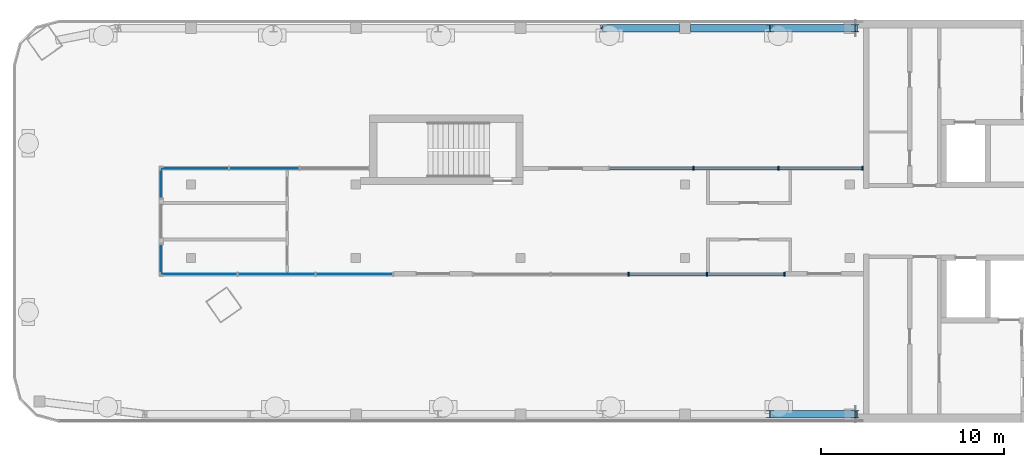
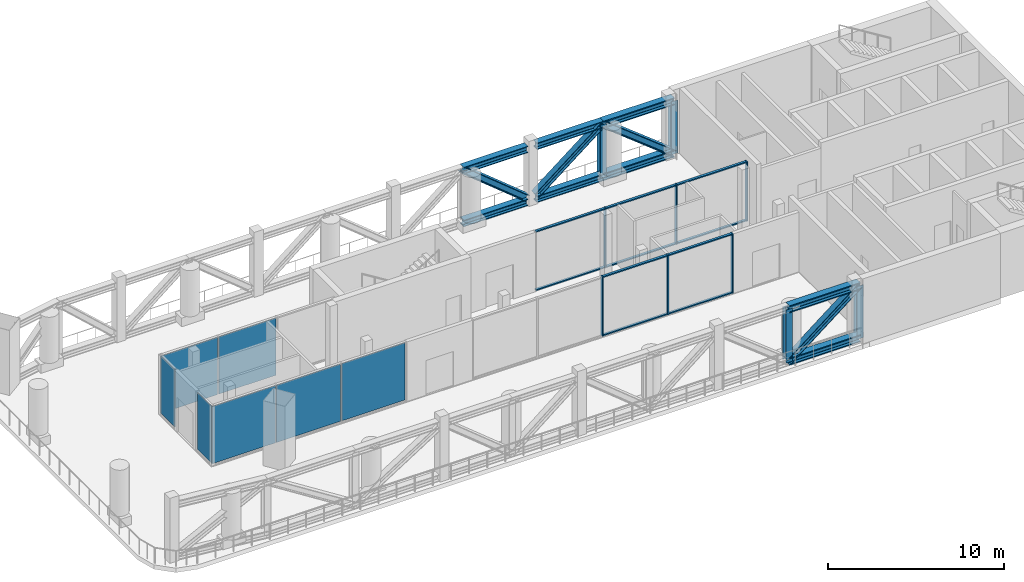
# One storey, part 3 of 9: 32 members, 7 plates, 6 elements without a shape of their own.
"""IFC4 building model written with IfcOpenShell, lengths in metres."""

from ifc_helpers import new_model, si_unit, direction, frame, origin, origin_2d, place, context, subcontext, project, spatial, rectangle, i_section, extrude, material, layer, layer_set, material_profile, profile_set, type_object, element, aggregate, save


model = new_model("IFC4")

# Units and contexts
model_context = context("Model", 3, precision=1e-05, world=origin(), true_north=direction((0.0, 1.0)))
body_context = subcontext(model_context, "Body", "Model", "MODEL_VIEW")
ifc_project = project(units=[si_unit("LENGTHUNIT", "METRE"), si_unit("AREAUNIT", "SQUARE_METRE"), si_unit("VOLUMEUNIT", "CUBIC_METRE"), si_unit("PLANEANGLEUNIT", "RADIAN"), si_unit("MASSUNIT", "GRAM", prefix="KILO")], contexts=[model_context])

# Site, building, storey
site_placement = place(None, origin())
site = spatial("IfcSite", under=ifc_project, at=site_placement, CompositionType="ELEMENT")
building_placement = place(site_placement, origin())
building = spatial("IfcBuilding", under=site, at=building_placement, Name="Skarvind Civic Tower", CompositionType="ELEMENT")
storey_placement = place(building_placement, frame((0.0, 0.0, 277.5)))
storey = spatial("IfcBuildingStorey", under=building, at=storey_placement, Name="L66", CompositionType="ELEMENT", Elevation=277.5)

# Curtain wall, members
ifc_material_1 = material(Name="Aluminium alloy 6063 and laminated glass", Category="aluminium")
curtain_wall_type = type_object("IfcCurtainWallType", Name="CW5 CROWN GALLERY LANTERN", PredefinedType="NOTDEFINED", material=ifc_material_1)
curtain_wall_1_placement = place(storey_placement, origin())
curtain_wall_1 = element("IfcCurtainWall", 1, at=curtain_wall_1_placement, inside=storey, type_object=curtain_wall_type, Name="CROWN GALLERY LANTERN", PredefinedType="NOTDEFINED")
ifc_material_2 = material(Name="Aluminium alloy 6063", Category="aluminium")
ifc_material_profile_1 = material_profile(ifc_material_2, rectangle(XDim=0.219970703125, YDim=0.080078125, at=origin_2d()), Name="AL 80x220")
ifc_profile_set_1 = profile_set([ifc_material_profile_1], Name="Aluminium alloy 6063")
member_type_1 = type_object("IfcMemberType", Name="CW5 MULLION 80x220", PredefinedType="MULLION", material=ifc_profile_set_1)
member_1_placement = place(storey_placement, frame((86.68212890625, 125.110107421875, 0.0), z_axis=(0.0, 0.0, 1.0), x_axis=(0.0, -1.0, 0.0)))
member_1 = element("IfcMember", 2, at=member_1_placement, type_object=member_type_1, Name="CW5 mullion 1", PredefinedType="MULLION", context=body_context, shape_type="SweptSolid", body=[
    extrude(rectangle(XDim=0.219970703125, YDim=0.080078125, at=origin_2d()), origin(), (0.0, 0.0, 1.0), 4.125),
])
member_2_placement = place(storey_placement, frame((82.4443359375, 125.110107421875, 0.0), z_axis=(0.0, 0.0, 1.0), x_axis=(0.0, -1.0, 0.0)))
member_2 = element("IfcMember", 3, at=member_2_placement, type_object=member_type_1, Name="CW5 mullion 2", PredefinedType="MULLION", context=body_context, shape_type="SweptSolid", body=[
    extrude(rectangle(XDim=0.219970703125, YDim=0.080078125, at=origin_2d()), origin(), (0.0, 0.0, 1.0), 4.125),
])
member_3_placement = place(storey_placement, frame((78.166748046875, 125.110107421875, 0.0), z_axis=(0.0, 0.0, 1.0), x_axis=(0.0, -1.0, 0.0)))
member_3 = element("IfcMember", 4, at=member_3_placement, type_object=member_type_1, Name="CW5 mullion 3", PredefinedType="MULLION", context=body_context, shape_type="SweptSolid", body=[
    extrude(rectangle(XDim=0.219970703125, YDim=0.080078125, at=origin_2d()), origin(), (0.0, 0.0, 1.0), 4.125),
])

curtain_wall_2_placement = place(storey_placement, origin())
curtain_wall_2 = element("IfcCurtainWall", 5, at=curtain_wall_2_placement, inside=storey, type_object=curtain_wall_type, Name="CROWN GALLERY LANTERN", PredefinedType="NOTDEFINED")
member_4_placement = place(storey_placement, frame((81.699951171875, 130.889892578125, 0.0), z_axis=(0.0, 0.0, 1.0), x_axis=(0.0, 1.0, 0.0)))
member_4 = element("IfcMember", 6, at=member_4_placement, type_object=member_type_1, Name="CW5 mullion 2", PredefinedType="MULLION", context=body_context, shape_type="SweptSolid", body=[
    extrude(rectangle(XDim=0.219970703125, YDim=0.080078125, at=origin_2d()), origin(), (0.0, 0.0, 1.0), 4.125),
])
member_5_placement = place(storey_placement, frame((86.35009765625, 130.889892578125, 0.0), z_axis=(0.0, 0.0, 1.0), x_axis=(0.0, 1.0, 0.0)))
member_5 = element("IfcMember", 7, at=member_5_placement, type_object=member_type_1, Name="CW5 mullion 3", PredefinedType="MULLION", context=body_context, shape_type="SweptSolid", body=[
    extrude(rectangle(XDim=0.219970703125, YDim=0.080078125, at=origin_2d()), origin(), (0.0, 0.0, 1.0), 4.125),
])
member_6_placement = place(storey_placement, frame((90.9599609375, 130.889892578125, 0.0), z_axis=(0.0, 0.0, 1.0), x_axis=(0.0, 1.0, 0.0)))
member_6 = element("IfcMember", 8, at=member_6_placement, type_object=member_type_1, Name="CW5 mullion 4", PredefinedType="MULLION", context=body_context, shape_type="SweptSolid", body=[
    extrude(rectangle(XDim=0.219970703125, YDim=0.080078125, at=origin_2d()), origin(), (0.0, 0.0, 1.0), 4.125),
])

# Member
ifc_material_profile_2 = material_profile(ifc_material_2, rectangle(XDim=0.159912109375, YDim=0.080078125, at=origin_2d()), Name="AL 80x160")
ifc_profile_set_2 = profile_set([ifc_material_profile_2], Name="Aluminium alloy 6063")
member_type_2 = type_object("IfcMemberType", Name="CW5 TRANSOM 80x160", PredefinedType="USERDEFINED", material=ifc_profile_set_2)
member_7_placement = place(storey_placement, frame((86.64208984375, 125.110107421875, 0.0400390625), z_axis=(-1.0, 0.0, 0.0), x_axis=(0.0, -1.0, 0.0)))
member_7 = element("IfcMember", 9, at=member_7_placement, type_object=member_type_2, Name="CW5 transom 1.1", ObjectType="TRANSOM", PredefinedType="USERDEFINED", context=body_context, shape_type="SweptSolid", body=[
    extrude(rectangle(XDim=0.159912109375, YDim=0.080078125, at=origin_2d()), origin(), (0.0, 0.0, 1.0), 4.15771484375),
])

member_8_placement = place(storey_placement, frame((86.64208984375, 125.110107421875, 4.0849609375), z_axis=(-1.0, 0.0, 0.0), x_axis=(0.0, -1.0, 0.0)))
member_8 = element("IfcMember", 10, at=member_8_placement, type_object=member_type_2, Name="CW5 transom 1.2", ObjectType="TRANSOM", PredefinedType="USERDEFINED", context=body_context, shape_type="SweptSolid", body=[
    extrude(rectangle(XDim=0.159912109375, YDim=0.080078125, at=origin_2d()), origin(), (0.0, 0.0, 1.0), 4.15771484375),
])

member_9_placement = place(storey_placement, frame((82.404541015625, 125.110107421875, 0.0400390625), z_axis=(-1.0, 0.0, 0.0), x_axis=(0.0, -1.0, 0.0)))
member_9 = element("IfcMember", 11, at=member_9_placement, type_object=member_type_2, Name="CW5 transom 2.1", ObjectType="TRANSOM", PredefinedType="USERDEFINED", context=body_context, shape_type="SweptSolid", body=[
    extrude(rectangle(XDim=0.159912109375, YDim=0.080078125, at=origin_2d()), origin(), (0.0, 0.0, 1.0), 4.197998046875),
])

member_10_placement = place(storey_placement, frame((82.404541015625, 125.110107421875, 4.0849609375), z_axis=(-1.0, 0.0, 0.0), x_axis=(0.0, -1.0, 0.0)))
member_10 = element("IfcMember", 12, at=member_10_placement, type_object=member_type_2, Name="CW5 transom 2.2", ObjectType="TRANSOM", PredefinedType="USERDEFINED", context=body_context, shape_type="SweptSolid", body=[
    extrude(rectangle(XDim=0.159912109375, YDim=0.080078125, at=origin_2d()), origin(), (0.0, 0.0, 1.0), 4.197998046875),
])

aggregate(curtain_wall_1, [member_1, member_2, member_3, member_7, member_8, member_9, member_10])

member_11_placement = place(storey_placement, frame((77.1298828125, 130.889892578125, 0.0400390625), z_axis=(1.0, 0.0, 0.0), x_axis=(0.0, 1.0, 0.0)))
member_11 = element("IfcMember", 13, at=member_11_placement, type_object=member_type_2, Name="CW5 transom 1.1", ObjectType="TRANSOM", PredefinedType="USERDEFINED", context=body_context, shape_type="SweptSolid", body=[
    extrude(rectangle(XDim=0.159912109375, YDim=0.080078125, at=origin_2d()), origin(), (0.0, 0.0, 1.0), 4.530029296875),
])

member_12_placement = place(storey_placement, frame((77.1298828125, 130.889892578125, 4.0849609375), z_axis=(1.0, 0.0, 0.0), x_axis=(0.0, 1.0, 0.0)))
member_12 = element("IfcMember", 14, at=member_12_placement, type_object=member_type_2, Name="CW5 transom 1.2", ObjectType="TRANSOM", PredefinedType="USERDEFINED", context=body_context, shape_type="SweptSolid", body=[
    extrude(rectangle(XDim=0.159912109375, YDim=0.080078125, at=origin_2d()), origin(), (0.0, 0.0, 1.0), 4.530029296875),
])

member_13_placement = place(storey_placement, frame((81.739990234375, 130.889892578125, 0.0400390625), z_axis=(1.0, 0.0, 0.0), x_axis=(0.0, 1.0, 0.0)))
member_13 = element("IfcMember", 15, at=member_13_placement, type_object=member_type_2, Name="CW5 transom 2.1", ObjectType="TRANSOM", PredefinedType="USERDEFINED", context=body_context, shape_type="SweptSolid", body=[
    extrude(rectangle(XDim=0.159912109375, YDim=0.080078125, at=origin_2d()), origin(), (0.0, 0.0, 1.0), 4.570068359375),
])

member_14_placement = place(storey_placement, frame((81.739990234375, 130.889892578125, 4.0849609375), z_axis=(1.0, 0.0, 0.0), x_axis=(0.0, 1.0, 0.0)))
member_14 = element("IfcMember", 16, at=member_14_placement, type_object=member_type_2, Name="CW5 transom 2.2", ObjectType="TRANSOM", PredefinedType="USERDEFINED", context=body_context, shape_type="SweptSolid", body=[
    extrude(rectangle(XDim=0.159912109375, YDim=0.080078125, at=origin_2d()), origin(), (0.0, 0.0, 1.0), 4.570068359375),
])

member_15_placement = place(storey_placement, frame((86.389892578125, 130.889892578125, 0.0400390625), z_axis=(1.0, 0.0, 0.0), x_axis=(0.0, 1.0, 0.0)))
member_15 = element("IfcMember", 17, at=member_15_placement, type_object=member_type_2, Name="CW5 transom 3.1", ObjectType="TRANSOM", PredefinedType="USERDEFINED", context=body_context, shape_type="SweptSolid", body=[
    extrude(rectangle(XDim=0.159912109375, YDim=0.080078125, at=origin_2d()), origin(), (0.0, 0.0, 1.0), 4.530029296875),
])

member_16_placement = place(storey_placement, frame((86.389892578125, 130.889892578125, 4.0849609375), z_axis=(1.0, 0.0, 0.0), x_axis=(0.0, 1.0, 0.0)))
member_16 = element("IfcMember", 18, at=member_16_placement, type_object=member_type_2, Name="CW5 transom 3.2", ObjectType="TRANSOM", PredefinedType="USERDEFINED", context=body_context, shape_type="SweptSolid", body=[
    extrude(rectangle(XDim=0.159912109375, YDim=0.080078125, at=origin_2d()), origin(), (0.0, 0.0, 1.0), 4.530029296875),
])

aggregate(curtain_wall_2, [member_4, member_5, member_6, member_11, member_12, member_13, member_14, member_15, member_16])

# Members
ifc_material_3 = material(Name="Steel SM355", Category="steel")
ifc_material_profile_3 = material_profile(ifc_material_3, i_section(OverallWidth=0.4169921875, OverallDepth=0.4580078125, WebThickness=0.030029296875, FlangeThickness=0.050048828125, FilletRadius=0.02197265625, at=origin_2d()), Name="H-458x417x30x50")
ifc_profile_set_3 = profile_set([ifc_material_profile_3], Name="Steel SM355")
member_type_3 = type_object("IfcMemberType", Name="Truss chord H-458x417x30x50 SM355", PredefinedType="CHORD", material=ifc_profile_set_3)
for number, where, z_axis, x_axis, name in (
    (19, (76.75, 138.550048828125, 0.22900390625), (1.0, 0.0, 0.0), (0.0, 1.0, 0.0), "Belt truss L66 W1N chord"),
    (20, (76.75, 138.550048828125, 3.89599609375), (1.0, 0.0, 0.0), (0.0, 1.0, 0.0), "Belt truss L66 W1N chord"),
):
    element("IfcMember", number, at=place(storey_placement, frame(where, z_axis=z_axis, x_axis=x_axis)), inside=storey, type_object=member_type_3, Name=name, PredefinedType="CHORD", context=body_context, shape_type="SweptSolid", body=[
        extrude(i_section(OverallWidth=0.4169921875, OverallDepth=0.4580078125, WebThickness=0.030029296875, FlangeThickness=0.050048828125, FilletRadius=0.02197265625, at=origin_2d()), origin(), (0.0, 0.0, 1.0), 4.199951171875),
    ])
for number, where, z_axis, x_axis, name in (
    (21, (81.550048828125, 138.550048828125, 0.22900390625), (1.0, 0.0, 0.0), (0.0, 1.0, 0.0), "Belt truss L66 W1N chord"),
    (22, (81.550048828125, 138.550048828125, 3.89599609375), (1.0, 0.0, 0.0), (0.0, 1.0, 0.0), "Belt truss L66 W1N chord"),
):
    element("IfcMember", number, at=place(storey_placement, frame(where, z_axis=z_axis, x_axis=x_axis)), inside=storey, type_object=member_type_3, Name=name, PredefinedType="CHORD", context=body_context, shape_type="SweptSolid", body=[
        extrude(i_section(OverallWidth=0.4169921875, OverallDepth=0.4580078125, WebThickness=0.030029296875, FlangeThickness=0.050048828125, FilletRadius=0.02197265625, at=origin_2d()), origin(), (0.0, 0.0, 1.0), 4.349853515625),
    ])
ifc_material_profile_4 = material_profile(ifc_material_3, i_section(OverallWidth=0.431884765625, OverallDepth=0.498046875, WebThickness=0.044921875, FlangeThickness=0.070068359375, FilletRadius=0.02197265625, at=origin_2d()), Name="H-498x432x45x70")
ifc_profile_set_4 = profile_set([ifc_material_profile_4], Name="Steel SM355")
member_type_4 = type_object("IfcMemberType", Name="Truss chord H-498x432x45x70 SM355", PredefinedType="CHORD", material=ifc_profile_set_4)
for number, where, z_axis, x_axis, name in (
    (23, (85.89990234375, 138.550048828125, 0.2490234375), (1.0, 0.0, 0.0), (0.0, 1.0, 0.0), "Belt truss L66 W1N chord"),
    (24, (85.89990234375, 138.550048828125, 3.8759765625), (1.0, 0.0, 0.0), (0.0, 1.0, 0.0), "Belt truss L66 W1N chord"),
    (25, (85.89990234375, 117.449951171875, 0.2490234375), (1.0, 0.0, 0.0), (0.0, 1.0, 0.0), "Belt truss L66 W1S chord"),
    (26, (85.89990234375, 117.449951171875, 3.8759765625), (1.0, 0.0, 0.0), (0.0, 1.0, 0.0), "Belt truss L66 W1S chord"),
):
    element("IfcMember", number, at=place(storey_placement, frame(where, z_axis=z_axis, x_axis=x_axis)), inside=storey, type_object=member_type_4, Name=name, PredefinedType="CHORD", context=body_context, shape_type="SweptSolid", body=[
        extrude(i_section(OverallWidth=0.431884765625, OverallDepth=0.498046875, WebThickness=0.044921875, FlangeThickness=0.070068359375, FilletRadius=0.02197265625, at=origin_2d()), origin(), (0.0, 0.0, 1.0), 4.650146484375),
    ])
ifc_material_profile_5 = material_profile(ifc_material_3, i_section(OverallWidth=0.406982421875, OverallDepth=0.427978515625, WebThickness=0.02001953125, FlangeThickness=0.034912109375, FilletRadius=0.02197265625, at=origin_2d()), Name="H-428x407x20x35")
ifc_profile_set_5 = profile_set([ifc_material_profile_5], Name="Steel SM355")
member_type_5 = type_object("IfcMemberType", Name="Truss diagonal H-428x407x20x35 SM355", PredefinedType="BRACE", material=ifc_profile_set_5)
member_17_placement = place(storey_placement, frame((76.75, 138.550048828125, 3.89599609375), z_axis=(0.775196572042, 0.0, -0.631720092046), x_axis=(0.0, 1.0, 0.0)))
element("IfcMember", 27, at=member_17_placement, inside=storey, type_object=member_type_5, Name="Belt truss L66 W1N diagonal", PredefinedType="BRACE", context=body_context, shape_type="SweptSolid", body=[
    extrude(i_section(OverallWidth=0.406982421875, OverallDepth=0.427978515625, WebThickness=0.02001953125, FlangeThickness=0.034912109375, FilletRadius=0.02197265625, at=origin_2d()), origin(), (0.0, 0.0, 1.0), 5.41796875),
])
member_18_placement = place(storey_placement, frame((81.550048828125, 138.550048828125, 0.465576171875), z_axis=(0.785205291791, 0.0, 0.619235536564), x_axis=(0.0, 1.0, 0.0)))
element("IfcMember", 28, at=member_18_placement, inside=storey, type_object=member_type_5, Name="Belt truss L66 W1N diagonal", PredefinedType="BRACE", context=body_context, shape_type="SweptSolid", body=[
    extrude(i_section(OverallWidth=0.406982421875, OverallDepth=0.427978515625, WebThickness=0.02001953125, FlangeThickness=0.034912109375, FilletRadius=0.02197265625, at=origin_2d()), origin(), (0.0, 0.0, 1.0), 5.539794921875),
])
for number, where, z_axis, x_axis, name in (
    (29, (85.89990234375, 138.550048828125, 3.89599609375), (0.785225606422, 0.0, -0.619209776262), (0.0, 1.0, 0.0), "Belt truss L66 W1N diagonal"),
    (30, (85.89990234375, 117.449951171875, 0.22900390625), (0.785225606422, 0.0, 0.619209776262), (0.0, 1.0, 0.0), "Belt truss L66 W1S diagonal"),
):
    element("IfcMember", number, at=place(storey_placement, frame(where, z_axis=z_axis, x_axis=x_axis)), inside=storey, type_object=member_type_5, Name=name, PredefinedType="BRACE", context=body_context, shape_type="SweptSolid", body=[
        extrude(i_section(OverallWidth=0.406982421875, OverallDepth=0.427978515625, WebThickness=0.02001953125, FlangeThickness=0.034912109375, FilletRadius=0.02197265625, at=origin_2d()), origin(), (0.0, 0.0, 1.0), 5.922119140625),
    ])
ifc_material_profile_6 = material_profile(ifc_material_3, i_section(OverallWidth=0.407958984375, OverallDepth=0.39990234375, WebThickness=0.02099609375, FlangeThickness=0.02099609375, FilletRadius=0.02197265625, at=origin_2d()), Name="H-400x408x21x21")
ifc_profile_set_6 = profile_set([ifc_material_profile_6], Name="Steel SM355")
member_type_6 = type_object("IfcMemberType", Name="Truss post H-400x408x21x21 SM355", PredefinedType="POST", material=ifc_profile_set_6)
for number, where, z_axis, x_axis, name in (
    (31, (85.89990234375, 138.550048828125, 0.22900390625), (0.0, 0.0, 1.0), (1.0, 0.0, 0.0), "Belt truss L66 W1N post"),
    (32, (90.550048828125, 138.550048828125, 0.22900390625), (0.0, 0.0, 1.0), (1.0, 0.0, 0.0), "Belt truss L66 W1N post"),
    (33, (85.89990234375, 117.449951171875, 0.22900390625), (0.0, 0.0, 1.0), (1.0, 0.0, 0.0), "Belt truss L66 W1S post"),
    (34, (90.550048828125, 117.449951171875, 0.22900390625), (0.0, 0.0, 1.0), (1.0, 0.0, 0.0), "Belt truss L66 W1S post"),
):
    element("IfcMember", number, at=place(storey_placement, frame(where, z_axis=z_axis, x_axis=x_axis)), inside=storey, type_object=member_type_6, Name=name, PredefinedType="POST", context=body_context, shape_type="SweptSolid", body=[
        extrude(i_section(OverallWidth=0.407958984375, OverallDepth=0.39990234375, WebThickness=0.02099609375, FlangeThickness=0.02099609375, FilletRadius=0.02197265625, at=origin_2d()), origin(), (0.0, 0.0, 1.0), 3.6669921875),
    ])

# Curtain wall, plates
curtain_wall_3_placement = place(storey_placement, origin())
curtain_wall_3 = element("IfcCurtainWall", 35, at=curtain_wall_3_placement, inside=storey, type_object=curtain_wall_type, Name="CROWN GALLERY LANTERN", PredefinedType="NOTDEFINED")
ifc_material_4 = material(Name="Laminated low-iron glass", Category="glass")
ifc_layer = layer(ifc_material_4, 0.035888671875)
ifc_layer_set = layer_set([ifc_layer], Name="CW5 GLASS PANEL 36")
plate_type = type_object("IfcPlateType", Name="CW5 GLASS PANEL 36", PredefinedType="CURTAIN_PANEL", material=ifc_layer_set)
plate_1_placement = place(storey_placement, frame((54.436767578125, 130.889892578125, 0.080078125), z_axis=(0.0, 0.0, 1.0), x_axis=(1.0, 0.0, 0.0)))
plate_1 = element("IfcPlate", 36, at=plate_1_placement, type_object=plate_type, Name="CW5 panel 1.1", PredefinedType="CURTAIN_PANEL", context=body_context, shape_type="SweptSolid", body=[
    extrude(rectangle(XDim=3.71337890625, YDim=0.035888671875, at=origin_2d()), origin(), (0.0, 0.0, 1.0), 3.965087890625),
])
plate_2_placement = place(storey_placement, frame((58.25, 130.889892578125, 0.080078125), z_axis=(0.0, 0.0, 1.0), x_axis=(1.0, 0.0, 0.0)))
plate_2 = element("IfcPlate", 37, at=plate_2_placement, type_object=plate_type, Name="CW5 panel 2.1", PredefinedType="CURTAIN_PANEL", context=body_context, shape_type="SweptSolid", body=[
    extrude(rectangle(XDim=3.75341796875, YDim=0.035888671875, at=origin_2d()), origin(), (0.0, 0.0, 1.0), 3.965087890625),
])
aggregate(curtain_wall_3, [plate_1, plate_2])

# Curtain wall, plate
curtain_wall_4_placement = place(storey_placement, origin())
curtain_wall_4 = element("IfcCurtainWall", 38, at=curtain_wall_4_placement, inside=storey, type_object=curtain_wall_type, Name="CROWN GALLERY LANTERN", PredefinedType="NOTDEFINED")
plate_3_placement = place(storey_placement, frame((52.610107421875, 125.89990234375, 0.080078125), z_axis=(0.0, 0.0, 1.0), x_axis=(0.0, 1.0, 0.0)))
plate_3 = element("IfcPlate", 39, at=plate_3_placement, type_object=plate_type, Name="CW5 panel 1.1", PredefinedType="CURTAIN_PANEL", context=body_context, shape_type="SweptSolid", body=[
    extrude(rectangle(XDim=1.639892578125, YDim=0.035888671875, at=origin_2d()), origin(), (0.0, 0.0, 1.0), 3.965087890625),
])
aggregate(curtain_wall_4, [plate_3])

curtain_wall_5_placement = place(storey_placement, origin())
curtain_wall_5 = element("IfcCurtainWall", 40, at=curtain_wall_5_placement, inside=storey, type_object=curtain_wall_type, Name="CROWN GALLERY LANTERN", PredefinedType="NOTDEFINED")
plate_4_placement = place(storey_placement, frame((52.610107421875, 130.10009765625, 0.080078125), z_axis=(0.0, 0.0, 1.0), x_axis=(0.0, 1.0, 0.0)))
plate_4 = element("IfcPlate", 41, at=plate_4_placement, type_object=plate_type, Name="CW5 panel 1.1", PredefinedType="CURTAIN_PANEL", context=body_context, shape_type="SweptSolid", body=[
    extrude(rectangle(XDim=1.639892578125, YDim=0.035888671875, at=origin_2d()), origin(), (0.0, 0.0, 1.0), 3.965087890625),
])
aggregate(curtain_wall_5, [plate_4])

# Curtain wall, plates
curtain_wall_6_placement = place(storey_placement, origin())
curtain_wall_6 = element("IfcCurtainWall", 42, at=curtain_wall_6_placement, inside=storey, type_object=curtain_wall_type, Name="CROWN GALLERY LANTERN", PredefinedType="NOTDEFINED")
plate_5_placement = place(storey_placement, frame((63.17431640625, 125.110107421875, 0.080078125), z_axis=(0.0, 0.0, 1.0), x_axis=(-1.0, 0.0, 0.0)))
plate_5 = element("IfcPlate", 43, at=plate_5_placement, type_object=plate_type, Name="CW5 panel 1.1", PredefinedType="CURTAIN_PANEL", context=body_context, shape_type="SweptSolid", body=[
    extrude(rectangle(XDim=4.15771484375, YDim=0.035888671875, at=origin_2d()), origin(), (0.0, 0.0, 1.0), 3.965087890625),
])
plate_6_placement = place(storey_placement, frame((58.916748046875, 125.110107421875, 0.080078125), z_axis=(0.0, 0.0, 1.0), x_axis=(-1.0, 0.0, 0.0)))
plate_6 = element("IfcPlate", 44, at=plate_6_placement, type_object=plate_type, Name="CW5 panel 2.1", PredefinedType="CURTAIN_PANEL", context=body_context, shape_type="SweptSolid", body=[
    extrude(rectangle(XDim=4.19775390625, YDim=0.035888671875, at=origin_2d()), origin(), (0.0, 0.0, 1.0), 3.965087890625),
])
plate_7_placement = place(storey_placement, frame((54.658935546875, 125.110107421875, 0.080078125), z_axis=(0.0, 0.0, 1.0), x_axis=(-1.0, 0.0, 0.0)))
plate_7 = element("IfcPlate", 45, at=plate_7_placement, type_object=plate_type, Name="CW5 panel 3.1", PredefinedType="CURTAIN_PANEL", context=body_context, shape_type="SweptSolid", body=[
    extrude(rectangle(XDim=4.15771484375, YDim=0.035888671875, at=origin_2d()), origin(), (0.0, 0.0, 1.0), 3.965087890625),
])
aggregate(curtain_wall_6, [plate_5, plate_6, plate_7])

save(model, "model.ifc")
